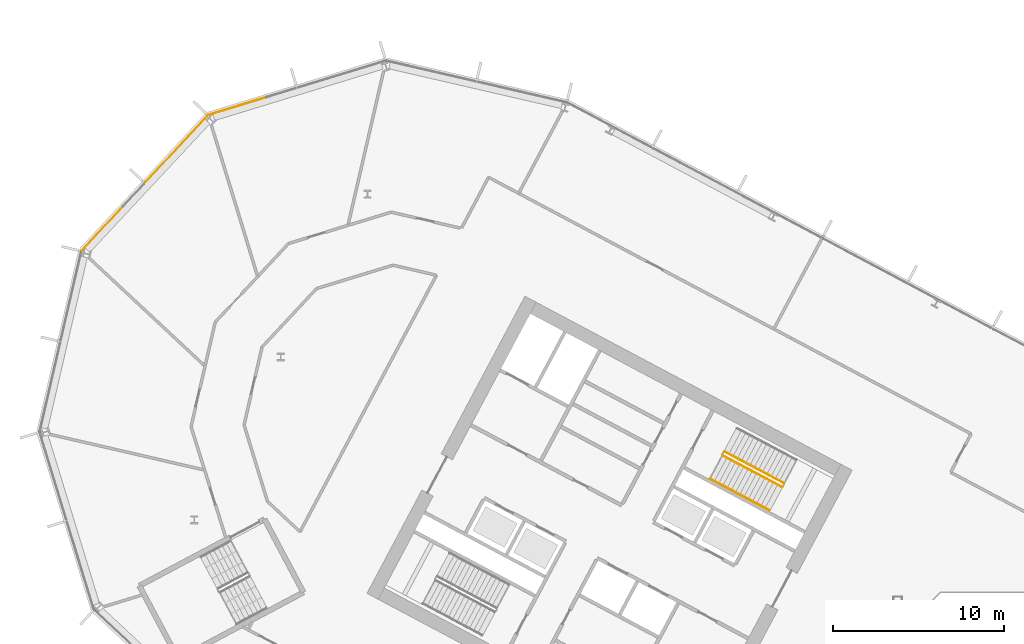
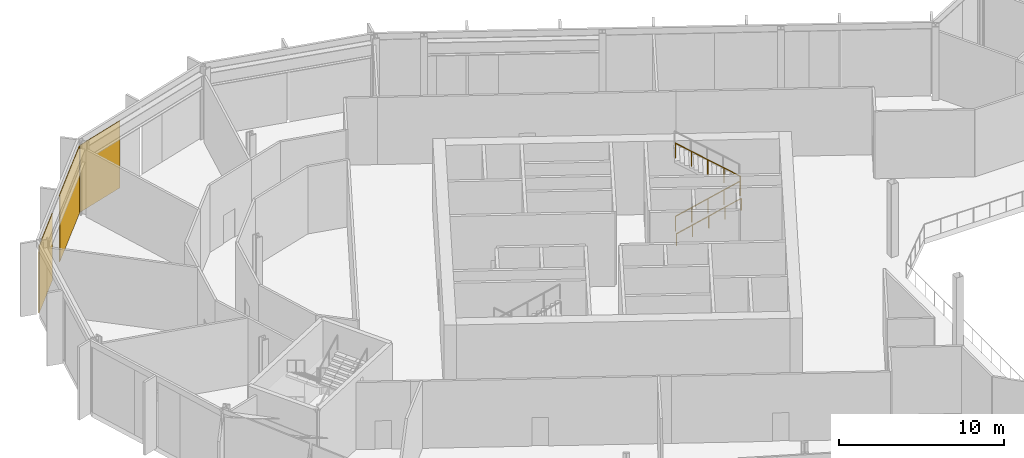
# One storey, part 24 of 31: 3 coverings, 3 railings, 2 elements without a shape of their own.
"""IFC4 building model written with IfcOpenShell, lengths in metres."""

from ifc_helpers import new_model, si_unit, direction, frame, origin, origin_2d, place, context, subcontext, project, spatial, polyline, rectangle, outline, extrude, material, layer, layer_set, type_object, element, aggregate, save


model = new_model("IFC4")

# Units and contexts
model_context = context("Model", 3, precision=1e-05, world=origin(), true_north=direction((0.0, 1.0)))
body_context = subcontext(model_context, "Body", "Model", "MODEL_VIEW")
ifc_project = project(units=[si_unit("LENGTHUNIT", "METRE"), si_unit("AREAUNIT", "SQUARE_METRE"), si_unit("VOLUMEUNIT", "CUBIC_METRE"), si_unit("PLANEANGLEUNIT", "RADIAN"), si_unit("MASSUNIT", "GRAM", prefix="KILO")], contexts=[model_context])

# Site, building, storey
site_placement = place(None, origin())
site = spatial("IfcSite", under=ifc_project, at=site_placement, CompositionType="ELEMENT")
building_placement = place(site_placement, origin())
building = spatial("IfcBuilding", under=site, at=building_placement, Name="Cormorant Relay Tower", CompositionType="ELEMENT")
storey_placement = place(building_placement, frame((0.0, 0.0, 178.199951171875)))
storey = spatial("IfcBuildingStorey", under=building, at=storey_placement, Name="L38", CompositionType="ELEMENT", Elevation=178.199951171875)

# Curtain wall, covering
ifc_material_1 = material(Name="Aluminium 6063-T6 anodised bronze", Category="aluminium")
ifc_layer_1 = layer(ifc_material_1, 0.199951171875)
ifc_layer_set_1 = layer_set([ifc_layer_1], Name="CW1 unitised bronze curtain wall with vertical fins")
curtain_wall_type = type_object("IfcCurtainWallType", Name="CW1 unitised bronze curtain wall with vertical fins", PredefinedType="NOTDEFINED", material=ifc_layer_set_1)
curtain_wall_1_placement = place(storey_placement, origin())
curtain_wall_1 = element("IfcCurtainWall", 1, at=curtain_wall_1_placement, inside=storey, type_object=curtain_wall_type, Name="CW1 curtain wall 11", PredefinedType="NOTDEFINED")
ifc_material_2 = material(Name="Pale bronze anodised aluminium insulated panel", Category="aluminium")
ifc_layer_2 = layer(ifc_material_2, 0.0400390625)
ifc_layer_set_2 = layer_set([ifc_layer_2], Name="CW1 pale bronze insulated panel 40")
covering_type = type_object("IfcCoveringType", Name="CW1 pale bronze insulated panel 40", PredefinedType="CLADDING", material=ifc_layer_set_2)
covering_1_placement = place(storey_placement, frame((-49.16455078125, 39.474853515625, 0.0), z_axis=(0.0, 0.0, 1.0), x_axis=(-0.956304755963, -0.292371704723, 0.0)))
covering_1 = element("IfcCovering", 2, at=covering_1_placement, type_object=covering_type, Name="CW1 panel S03", PredefinedType="CLADDING", context=body_context, shape_type="SweptSolid", body=[
    extrude(rectangle(XDim=3.560302734375, YDim=0.0400390625, at=origin_2d()), origin(), (0.0, 0.0, 1.0), 4.949951171875),
])
aggregate(curtain_wall_1, [covering_1])

# Curtain wall, coverings
curtain_wall_2_placement = place(storey_placement, origin())
curtain_wall_2 = element("IfcCurtainWall", 3, at=curtain_wall_2_placement, inside=storey, type_object=curtain_wall_type, Name="CW1 curtain wall 12", PredefinedType="NOTDEFINED")
covering_2_placement = place(storey_placement, frame((-52.72900390625, 36.961181640625, 0.0), z_axis=(0.0, 0.0, 1.0), x_axis=(-0.681998360062, -0.731353701619, 0.0)))
covering_2 = element("IfcCovering", 4, at=covering_2_placement, type_object=covering_type, Name="CW1 panel S00", PredefinedType="CLADDING", context=body_context, shape_type="SweptSolid", body=[
    extrude(rectangle(XDim=5.28515625, YDim=0.0400390625, at=origin_2d()), origin(), (0.0, 0.0, 1.0), 4.949951171875),
])
covering_3_placement = place(storey_placement, frame((-57.0751953125, 32.300537109375, 0.0), z_axis=(0.0, 0.0, 1.0), x_axis=(-0.681998360062, -0.731353701619, 0.0)))
covering_3 = element("IfcCovering", 5, at=covering_3_placement, type_object=covering_type, Name="CW1 panel S02", PredefinedType="CLADDING", context=body_context, shape_type="SweptSolid", body=[
    extrude(rectangle(XDim=3.560302734375, YDim=0.0400390625, at=origin_2d()), origin(), (0.0, 0.0, 1.0), 4.949951171875),
])
aggregate(curtain_wall_2, [covering_2, covering_3])

# Railings
ifc_material_3 = material(Name="Steel ASTM A572 Grade 50 (Fy 345 MPa)", Category="steel")
railing_type_1 = type_object("IfcRailingType", Name="Stair guard 1100", PredefinedType="GUARDRAIL", material=ifc_material_3)
railing_1_placement = place(storey_placement, frame((-20.75048828125, 19.017822265625, 0.179931640625)))
element("IfcRailing", 6, at=railing_1_placement, inside=storey, type_object=railing_type_1, Name="L38 A1 stair guard 1", PredefinedType="GUARDRAIL", context=body_context, shape_type="SweptSolid", body=[
    extrude(outline(polyline([(0.022216796875, 0.00927734375), (0.00927734375, 0.022216796875), (-0.00927734375, 0.022216796875), (-0.022216796875, 0.00927734375), (-0.022216796875, -0.00927734375), (-0.00927734375, -0.022216796875), (0.00927734375, -0.022216796875), (0.022216796875, -0.00927734375), (0.022216796875, 0.00927734375)])), frame((0.0, 0.0, 1.076171875), z_axis=(0.74271721126, -0.394907409077, 0.540758062681), x_axis=(0.469469396681, 0.882948744594, 0.0)), (0.0, 0.0, 1.0), 4.66015625),
    extrude(outline(polyline([(0.019287109375, 0.008056640625), (0.008056640625, 0.019287109375), (-0.008056640625, 0.019287109375), (-0.019287109375, 0.008056640625), (-0.019287109375, -0.008056640625), (-0.008056640625, -0.019287109375), (0.008056640625, -0.019287109375), (0.019287109375, -0.008056640625), (0.019287109375, 0.008056640625)])), origin(), (0.0, 0.0, 1.0), 1.052001953125),
    extrude(outline(polyline([(0.019287109375, 0.008056640625), (0.008056640625, 0.019287109375), (-0.008056640625, 0.019287109375), (-0.019287109375, 0.008056640625), (-0.019287109375, -0.008056640625), (-0.008056640625, -0.019287109375), (0.008056640625, -0.019287109375), (0.019287109375, -0.008056640625), (0.019287109375, 0.008056640625)])), frame((0.865234375, -0.4599609375, 0.6298828125)), (0.0, 0.0, 1.0), 1.052001953125),
    extrude(outline(polyline([(0.019287109375, 0.008056640625), (0.008056640625, 0.019287109375), (-0.008056640625, 0.019287109375), (-0.019287109375, 0.008056640625), (-0.019287109375, -0.008056640625), (-0.008056640625, -0.019287109375), (0.008056640625, -0.019287109375), (0.019287109375, -0.008056640625), (0.019287109375, 0.008056640625)])), frame((1.73046875, -0.920166015625, 1.260009765625)), (0.0, 0.0, 1.0), 1.052001953125),
    extrude(outline(polyline([(0.019287109375, 0.008056640625), (0.008056640625, 0.019287109375), (-0.008056640625, 0.019287109375), (-0.019287109375, 0.008056640625), (-0.019287109375, -0.008056640625), (-0.008056640625, -0.019287109375), (0.008056640625, -0.019287109375), (0.019287109375, -0.008056640625), (0.019287109375, 0.008056640625)])), frame((2.595947265625, -1.38037109375, 1.89013671875)), (0.0, 0.0, 1.0), 1.052001953125),
    extrude(outline(polyline([(0.019287109375, 0.008056640625), (0.008056640625, 0.019287109375), (-0.008056640625, 0.019287109375), (-0.019287109375, 0.008056640625), (-0.019287109375, -0.008056640625), (-0.008056640625, -0.019287109375), (0.008056640625, -0.019287109375), (0.019287109375, -0.008056640625), (0.019287109375, 0.008056640625)])), frame((3.461181640625, -1.84033203125, 2.52001953125)), (0.0, 0.0, 1.0), 1.052001953125),
])
railing_2_placement = place(storey_placement, frame((-17.172119140625, 17.398193359375, 2.880126953125)))
element("IfcRailing", 7, at=railing_2_placement, inside=storey, type_object=railing_type_1, Name="L38 A1 stair guard 3", PredefinedType="GUARDRAIL", context=body_context, shape_type="SweptSolid", body=[
    extrude(outline(polyline([(0.022216796875, 0.00927734375), (0.00927734375, 0.022216796875), (-0.00927734375, 0.022216796875), (-0.022216796875, 0.00927734375), (-0.022216796875, -0.00927734375), (-0.00927734375, -0.022216796875), (0.00927734375, -0.022216796875), (0.022216796875, -0.00927734375), (0.022216796875, 0.00927734375)])), frame((0.0, 0.0, 1.076171875), z_axis=(-0.74271721126, 0.394907409077, 0.540758062681), x_axis=(-0.469469396681, -0.882948744594, 0.0)), (0.0, 0.0, 1.0), 4.66015625),
    extrude(outline(polyline([(0.019287109375, 0.008056640625), (0.008056640625, 0.019287109375), (-0.008056640625, 0.019287109375), (-0.019287109375, 0.008056640625), (-0.019287109375, -0.008056640625), (-0.008056640625, -0.019287109375), (0.008056640625, -0.019287109375), (0.019287109375, -0.008056640625), (0.019287109375, 0.008056640625)])), origin(), (0.0, 0.0, 1.0), 1.052001953125),
    extrude(outline(polyline([(0.019287109375, 0.008056640625), (0.008056640625, 0.019287109375), (-0.008056640625, 0.019287109375), (-0.019287109375, 0.008056640625), (-0.019287109375, -0.008056640625), (-0.008056640625, -0.019287109375), (0.008056640625, -0.019287109375), (0.019287109375, -0.008056640625), (0.019287109375, 0.008056640625)])), frame((-0.865234375, 0.4599609375, 0.6298828125)), (0.0, 0.0, 1.0), 1.052001953125),
    extrude(outline(polyline([(0.019287109375, 0.008056640625), (0.008056640625, 0.019287109375), (-0.008056640625, 0.019287109375), (-0.019287109375, 0.008056640625), (-0.019287109375, -0.008056640625), (-0.008056640625, -0.019287109375), (0.008056640625, -0.019287109375), (0.019287109375, -0.008056640625), (0.019287109375, 0.008056640625)])), frame((-1.73046875, 0.920166015625, 1.260009765625)), (0.0, 0.0, 1.0), 1.052001953125),
    extrude(outline(polyline([(0.019287109375, 0.008056640625), (0.008056640625, 0.019287109375), (-0.008056640625, 0.019287109375), (-0.019287109375, 0.008056640625), (-0.019287109375, -0.008056640625), (-0.008056640625, -0.019287109375), (0.008056640625, -0.019287109375), (0.019287109375, -0.008056640625), (0.019287109375, 0.008056640625)])), frame((-2.595947265625, 1.38037109375, 1.89013671875)), (0.0, 0.0, 1.0), 1.052001953125),
    extrude(outline(polyline([(0.019287109375, 0.008056640625), (0.008056640625, 0.019287109375), (-0.008056640625, 0.019287109375), (-0.019287109375, 0.008056640625), (-0.019287109375, -0.008056640625), (-0.008056640625, -0.019287109375), (0.008056640625, -0.019287109375), (0.019287109375, -0.008056640625), (0.019287109375, 0.008056640625)])), frame((-3.461181640625, 1.84033203125, 2.52001953125)), (0.0, 0.0, 1.0), 1.052001953125),
])
ifc_material_4 = material(Name="Steel ASTM A572 Grade 50 (Fy 345 MPa)", Category="steel")
railing_type_2 = type_object("IfcRailingType", Name="Stair handrail 900", PredefinedType="HANDRAIL", material=ifc_material_4)
railing_3_placement = place(storey_placement, frame((-21.478271484375, 17.6494140625, 0.179931640625)))
element("IfcRailing", 8, at=railing_3_placement, inside=storey, type_object=railing_type_2, Name="L38 A1 stair handrail 1", PredefinedType="HANDRAIL", context=body_context, shape_type="SweptSolid", body=[
    extrude(outline(polyline([(0.022216796875, 0.00927734375), (0.00927734375, 0.022216796875), (-0.00927734375, 0.022216796875), (-0.022216796875, 0.00927734375), (-0.022216796875, -0.00927734375), (-0.00927734375, -0.022216796875), (0.00927734375, -0.022216796875), (0.022216796875, -0.00927734375), (0.022216796875, 0.00927734375)])), frame((0.0, 0.0, 0.8759765625), z_axis=(0.74271721126, -0.394907409077, 0.540758062681), x_axis=(0.469469396681, 0.882948744594, 0.0)), (0.0, 0.0, 1.0), 4.66015625),
    extrude(outline(polyline([(0.019287109375, 0.008056640625), (0.008056640625, 0.019287109375), (-0.008056640625, 0.019287109375), (-0.019287109375, 0.008056640625), (-0.019287109375, -0.008056640625), (-0.008056640625, -0.019287109375), (0.008056640625, -0.019287109375), (0.019287109375, -0.008056640625), (0.019287109375, 0.008056640625)])), origin(), (0.0, 0.0, 1.0), 0.851806640625),
    extrude(outline(polyline([(0.019287109375, 0.008056640625), (0.008056640625, 0.019287109375), (-0.008056640625, 0.019287109375), (-0.019287109375, 0.008056640625), (-0.019287109375, -0.008056640625), (-0.008056640625, -0.019287109375), (0.008056640625, -0.019287109375), (0.019287109375, -0.008056640625), (0.019287109375, 0.008056640625)])), frame((0.865234375, -0.4599609375, 0.6298828125)), (0.0, 0.0, 1.0), 0.851806640625),
    extrude(outline(polyline([(0.019287109375, 0.008056640625), (0.008056640625, 0.019287109375), (-0.008056640625, 0.019287109375), (-0.019287109375, 0.008056640625), (-0.019287109375, -0.008056640625), (-0.008056640625, -0.019287109375), (0.008056640625, -0.019287109375), (0.019287109375, -0.008056640625), (0.019287109375, 0.008056640625)])), frame((1.73046875, -0.920166015625, 1.260009765625)), (0.0, 0.0, 1.0), 0.851806640625),
    extrude(outline(polyline([(0.019287109375, 0.008056640625), (0.008056640625, 0.019287109375), (-0.008056640625, 0.019287109375), (-0.019287109375, 0.008056640625), (-0.019287109375, -0.008056640625), (-0.008056640625, -0.019287109375), (0.008056640625, -0.019287109375), (0.019287109375, -0.008056640625), (0.019287109375, 0.008056640625)])), frame((2.595947265625, -1.38037109375, 1.89013671875)), (0.0, 0.0, 1.0), 0.851806640625),
    extrude(outline(polyline([(0.019287109375, 0.008056640625), (0.008056640625, 0.019287109375), (-0.008056640625, 0.019287109375), (-0.019287109375, 0.008056640625), (-0.019287109375, -0.008056640625), (-0.008056640625, -0.019287109375), (0.008056640625, -0.019287109375), (0.019287109375, -0.008056640625), (0.019287109375, 0.008056640625)])), frame((3.461181640625, -1.84033203125, 2.52001953125)), (0.0, 0.0, 1.0), 0.851806640625),
])

save(model, "model.ifc")
